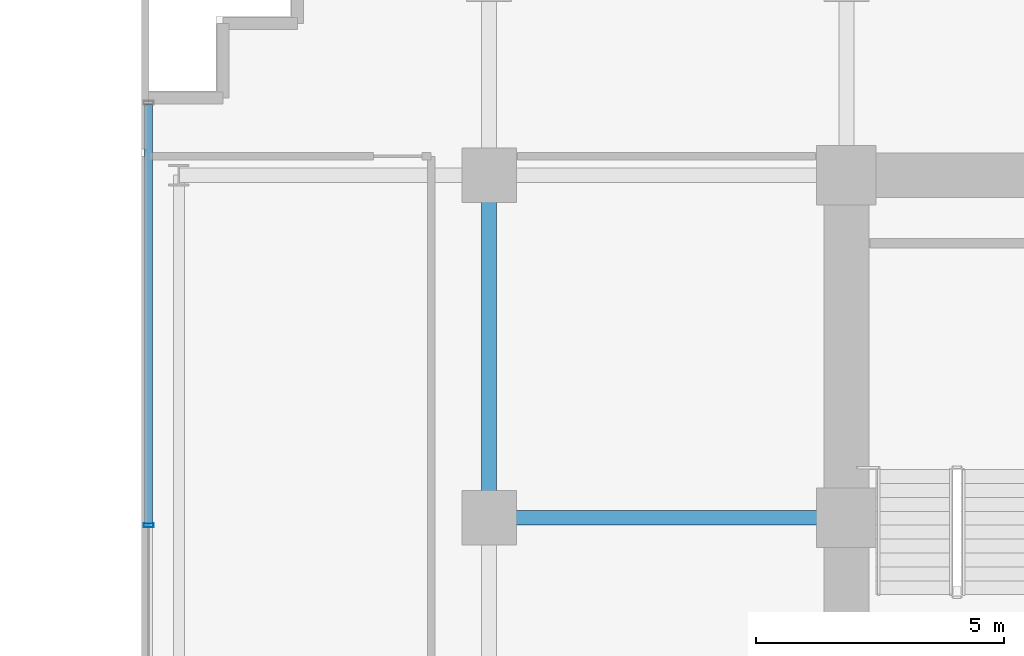
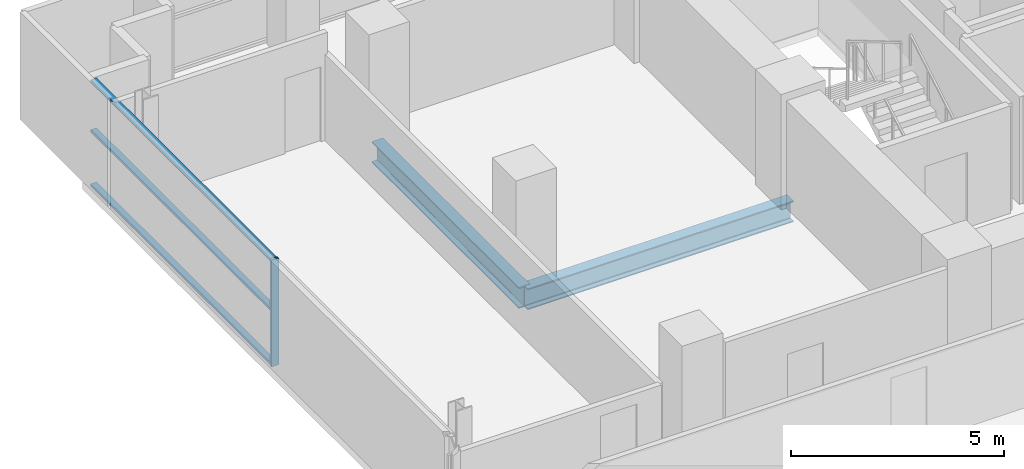
# One storey, part 7 of 31: 4 members, 2 beams, 1 element without a shape of its own.
"""IFC4 building model written with IfcOpenShell, lengths in metres."""

from ifc_helpers import new_model, si_unit, direction, frame, origin, origin_2d, place, context, subcontext, project, spatial, hollow_rectangle, i_section, extrude, source, transform, mapped, material, layer, layer_set, material_profile, profile_set, type_object, element, aggregate, save


model = new_model("IFC4")

# Units and contexts
model_context = context("Model", 3, precision=1e-05, world=origin(), true_north=direction((0.0, 1.0)))
body_context = subcontext(model_context, "Body", "Model", "MODEL_VIEW")
ifc_project = project(units=[si_unit("LENGTHUNIT", "METRE"), si_unit("AREAUNIT", "SQUARE_METRE"), si_unit("VOLUMEUNIT", "CUBIC_METRE"), si_unit("PLANEANGLEUNIT", "RADIAN"), si_unit("MASSUNIT", "GRAM", prefix="KILO")], contexts=[model_context])

# Site, building, storey
site_placement = place(None, origin())
site = spatial("IfcSite", under=ifc_project, at=site_placement, CompositionType="ELEMENT")
building_placement = place(site_placement, origin())
building = spatial("IfcBuilding", under=site, at=building_placement, Name="Zarnakvel Exchange Tower", CompositionType="ELEMENT")
storey_placement = place(building_placement, frame((0.0, 0.0, 60.39990234375)))
storey = spatial("IfcBuildingStorey", under=building, at=storey_placement, Name="L16", CompositionType="ELEMENT", Elevation=60.39990234375)

# Beams
ifc_material_1 = material(Name="Steel S355", Category="steel")
ifc_material_profile_1 = material_profile(ifc_material_1, i_section(OverallWidth=0.300048828125, OverallDepth=0.60009765625, WebThickness=0.015380859375, FlangeThickness=0.030029296875, FilletRadius=0.027099609375, at=origin_2d()))
ifc_profile_set_1 = profile_set([ifc_material_profile_1], Name="Steel S355")
beam_type = type_object("IfcBeamType", Name="G-04", PredefinedType="BEAM", material=ifc_profile_set_1)
beam_1_placement = place(storey_placement, frame((-21.60009765625, 6.60009765625, -0.52490234375), z_axis=(1.0, 0.0, 0.0), x_axis=(0.0, 1.0, 0.0)))
element("IfcBeam", 1, at=beam_1_placement, inside=storey, type_object=beam_type, Name="L16 Tower E-W Frame Beam", PredefinedType="BEAM", context=body_context, shape_type="SweptSolid", body=[
    extrude(i_section(OverallWidth=0.300048828125, OverallDepth=0.60009765625, WebThickness=0.015380859375, FlangeThickness=0.030029296875, FilletRadius=0.027099609375, at=origin_2d()), origin(), (0.0, 0.0, 1.0), 7.2001953125),
])
beam_2_placement = place(storey_placement, frame((-21.60009765625, 6.60009765625, -0.52490234375), z_axis=(0.0, 1.0, 0.0), x_axis=(-1.0, 0.0, 0.0)))
element("IfcBeam", 2, at=beam_2_placement, inside=storey, type_object=beam_type, Name="L16 Tower N-S Frame Beam", PredefinedType="BEAM", context=body_context, shape_type="SweptSolid", body=[
    extrude(i_section(OverallWidth=0.300048828125, OverallDepth=0.60009765625, WebThickness=0.015380859375, FlangeThickness=0.030029296875, FilletRadius=0.027099609375, at=origin_2d()), origin(), (0.0, 0.0, 1.0), 6.89990234375),
])

# Curtain wall, members
ifc_material_2 = material(Name="Architectural Bronze Anodised Aluminium", Category="aluminium")
ifc_layer = layer(ifc_material_2, 0.199951171875)
ifc_layer_set = layer_set([ifc_layer], Name="Architectural Bronze Anodised Aluminium")
curtain_wall_type = type_object("IfcCurtainWallType", Name="CW-04", PredefinedType="NOTDEFINED", material=ifc_layer_set)
curtain_wall_placement = place(storey_placement, origin())
curtain_wall = element("IfcCurtainWall", 3, at=curtain_wall_placement, inside=storey, type_object=curtain_wall_type, Name="L16 Curtain Wall CW-L16-WN (CW-04)", PredefinedType="NOTDEFINED")
ifc_material_profile_2 = material_profile(ifc_material_2, hollow_rectangle(XDim=0.199951171875, YDim=0.074951171875, WallThickness=0.0048828125, at=origin_2d()))
ifc_profile_set_2 = profile_set([ifc_material_profile_2], Name="Architectural Bronze Anodised Aluminium")
member_type_1 = type_object("IfcMemberType", Name="CWM-04", PredefinedType="MULLION", material=ifc_profile_set_2)
shared_shape_1 = source(origin(), body_context, "Body", "SweptSolid", [
    extrude(hollow_rectangle(XDim=0.199951171875, YDim=0.074951171875, WallThickness=0.0048828125, at=origin_2d()), origin(), (0.0, 0.0, 1.0), 3.05517578125),
])
member_1_placement = place(storey_placement, frame((-28.4599609375, 6.449951171875, 0.0), z_axis=(0.0, 0.0, 1.0), x_axis=(-1.0, 0.0, 0.0)))
member_1 = element("IfcMember", 4, at=member_1_placement, type_object=member_type_1, Name="CW-04 mullion 2", PredefinedType="MULLION", context=body_context, shape_type="MappedRepresentation", body=[
    mapped(shared_shape_1, transform((0.0, 0.0, 0.0), x_axis=(1.0, 0.0, 0.0), y_axis=(0.0, 1.0, 0.0), z_axis=(0.0, 0.0, 1.0), scale=1.0)),
])
ifc_material_profile_3 = material_profile(ifc_material_2, hollow_rectangle(XDim=0.159912109375, YDim=0.074951171875, WallThickness=0.00390625, at=origin_2d()))
ifc_profile_set_3 = profile_set([ifc_material_profile_3], Name="Architectural Bronze Anodised Aluminium")
member_type_2 = type_object("IfcMemberType", Name="CWT-04", PredefinedType="USERDEFINED", material=ifc_profile_set_3)
shared_shape_2 = source(origin(), body_context, "Body", "SweptSolid", [
    extrude(hollow_rectangle(XDim=0.159912109375, YDim=0.074951171875, WallThickness=0.00390625, at=origin_2d()), origin(), (0.0, 0.0, 1.0), 8.4375),
])
member_2_placement = place(storey_placement, frame((-28.4599609375, 6.487548828125, 0.03759765625), z_axis=(0.0, 1.0, 0.0), x_axis=(-1.0, 0.0, 0.0)))
member_2 = element("IfcMember", 5, at=member_2_placement, type_object=member_type_2, Name="CW-04 transom 2.1", ObjectType="TRANSOM", PredefinedType="USERDEFINED", context=body_context, shape_type="MappedRepresentation", body=[
    mapped(shared_shape_2, transform((0.0, 0.0, 0.0), x_axis=(1.0, 0.0, 0.0), y_axis=(0.0, 1.0, 0.0), z_axis=(0.0, 0.0, 1.0), scale=1.0)),
])
member_3_placement = place(storey_placement, frame((-28.4599609375, 6.487548828125, 1.588623046875), z_axis=(0.0, 1.0, 0.0), x_axis=(-1.0, 0.0, 0.0)))
member_3 = element("IfcMember", 6, at=member_3_placement, type_object=member_type_2, Name="CW-04 transom 2.2", ObjectType="TRANSOM", PredefinedType="USERDEFINED", context=body_context, shape_type="MappedRepresentation", body=[
    mapped(shared_shape_2, transform((0.0, 0.0, 0.0), x_axis=(1.0, 0.0, 0.0), y_axis=(0.0, 1.0, 0.0), z_axis=(0.0, 0.0, 1.0), scale=1.0)),
])
member_4_placement = place(storey_placement, frame((-28.4599609375, 6.487548828125, 3.017578125), z_axis=(0.0, 1.0, 0.0), x_axis=(-1.0, 0.0, 0.0)))
member_4 = element("IfcMember", 7, at=member_4_placement, type_object=member_type_2, Name="CW-04 transom 2.3", ObjectType="TRANSOM", PredefinedType="USERDEFINED", context=body_context, shape_type="MappedRepresentation", body=[
    mapped(shared_shape_2, transform((0.0, 0.0, 0.0), x_axis=(1.0, 0.0, 0.0), y_axis=(0.0, 1.0, 0.0), z_axis=(0.0, 0.0, 1.0), scale=1.0)),
])
aggregate(curtain_wall, [member_1, member_2, member_3, member_4])

save(model, "model.ifc")
